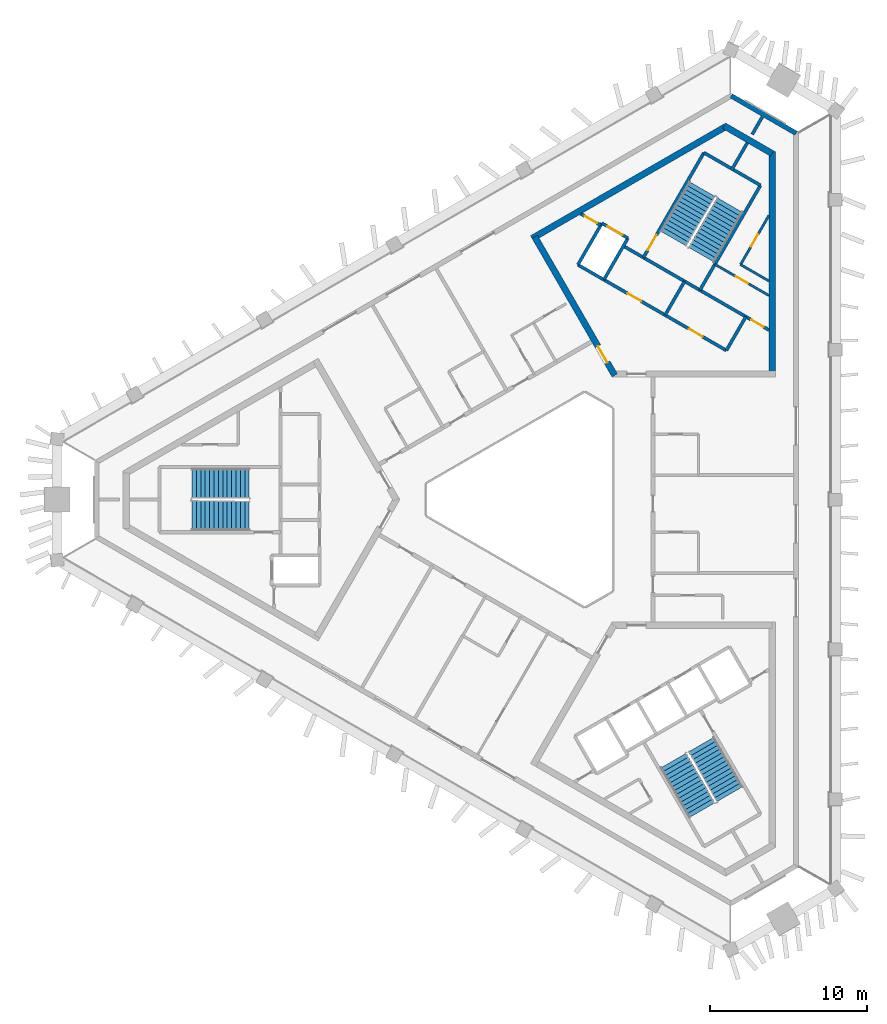
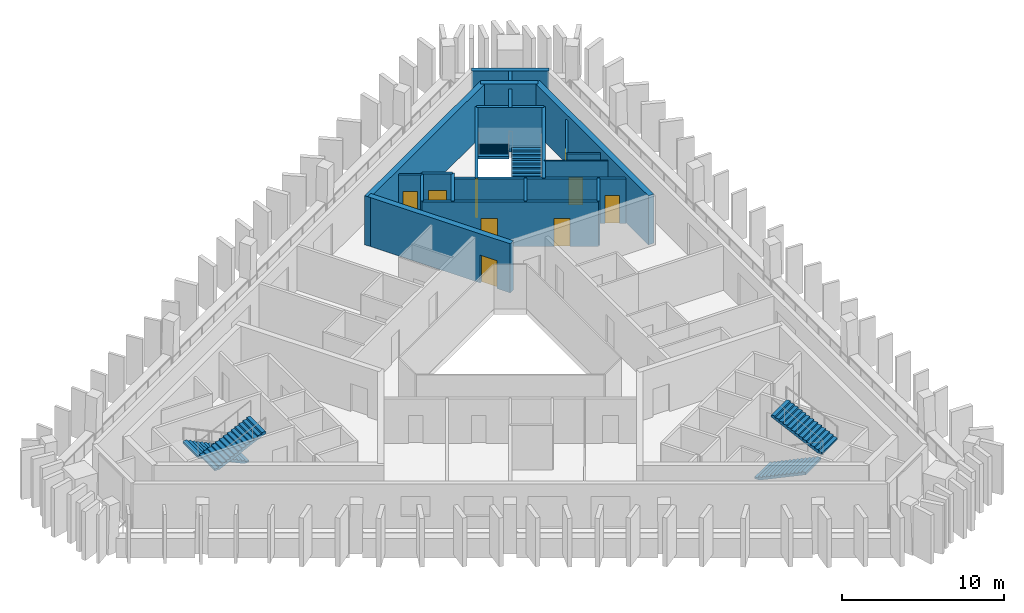
# One storey, part 5 of 8: 21 walls, 9 doors, 6 stair flights, 9 openings, 3 elements without a shape of their own.
"""IFC4 building model written with IfcOpenShell, lengths in metres."""

from ifc_helpers import new_model, si_unit, direction, frame, frame_2d, origin, place, context, subcontext, project, spatial, polyline, rectangle, outline, extrude, material, layer, layer_set, type_object, element, fill, aggregate, save


model = new_model("IFC4")

# Units and contexts
model_context = context("Model", 3, precision=1e-05, world=origin(), true_north=direction((0.0, 1.0)))
body_context = subcontext(model_context, "Body", "Model", "MODEL_VIEW")
ifc_project = project(units=[si_unit("LENGTHUNIT", "METRE"), si_unit("AREAUNIT", "SQUARE_METRE"), si_unit("VOLUMEUNIT", "CUBIC_METRE"), si_unit("PLANEANGLEUNIT", "RADIAN"), si_unit("MASSUNIT", "GRAM", prefix="KILO")], contexts=[model_context])

# Site, building, storey
site_placement = place(None, origin())
site = spatial("IfcSite", under=ifc_project, at=site_placement, CompositionType="ELEMENT")
building_placement = place(site_placement, origin())
building = spatial("IfcBuilding", under=site, at=building_placement, Name="Jabali Bay Hotel Tower and Convention Centre", CompositionType="ELEMENT")
storey_placement = place(building_placement, frame((0.0, 0.0, 292.300048828125)))
storey = spatial("IfcBuildingStorey", under=building, at=storey_placement, Name="L72", CompositionType="ELEMENT", Elevation=292.300048828125)

# Wall
ifc_material_1 = material(Name="Concrete C40", Category="concrete")
ifc_layer_1 = layer(ifc_material_1, 0.199951171875)
ifc_layer_set_1 = layer_set([ifc_layer_1], Name="Concrete C40")
wall_type_1 = type_object("IfcWallType", Name="Core partition wall 200", PredefinedType="PARTITIONING", material=ifc_layer_set_1)
wall_1_placement = place(storey_placement, frame((87.090087890625, 100.9404296875, 0.0), z_axis=(0.0, 0.0, 1.0), x_axis=(0.499941815747, 0.866058993873, 0.0)))
element("IfcWall", 1, at=wall_1_placement, inside=storey, type_object=wall_type_1, Name="Core wall 1.4 L72", PredefinedType="PARTITIONING", context=body_context, shape_type="SweptSolid", body=[
    extrude(rectangle(XDim=2.023193359375, YDim=0.199951171875, at=frame_2d((1.01171875, 0.0))), origin(), (0.0, 0.0, 1.0), 3.349853515625),
])

# Wall, opening, door
wall_2_placement = place(storey_placement, frame((78.7802734375, 97.447509765625, 0.0), z_axis=(0.0, 0.0, 1.0), x_axis=(-0.866045896294, 0.499964504253, 0.0)))
wall_2 = element("IfcWall", 2, at=wall_2_placement, inside=storey, type_object=wall_type_1, Name="Core wall 1.10 L72", PredefinedType="PARTITIONING", context=body_context, shape_type="SweptSolid", body=[
    extrude(rectangle(XDim=1.455078125, YDim=0.199951171875, at=frame_2d((0.7275390625, 0.0))), origin(), (0.0, 0.0, 1.0), 3.349853515625),
])
opening_1_placement = place(wall_2_placement, frame((0.277587890625, 0.0, 0.0)))
opening_1 = element("IfcOpeningElement", 3, at=opening_1_placement, cuts=wall_2, Name="Opening D1603", PredefinedType="OPENING", context=body_context, shape_type="SweptSolid", body=[
    extrude(rectangle(XDim=0.89990234375, YDim=2.10009765625, at=frame_2d((0.449951171875, 1.050048828125))), frame((0.0, 0.1103515625, 0.0), z_axis=(0.0, -1.0, 0.0), x_axis=(1.0, 0.0, 0.0)), (0.0, 0.0, 1.0), 0.220947265625),
])
ifc_material_2 = material(Name="Fire-rated steel door", Category="steel")
door_type_1 = type_object("IfcDoorType", Name="Vestibule fire door 900 x 2100", OperationType="NOTDEFINED", PredefinedType="NOTDEFINED", material=ifc_material_2)
door_1_placement = place(opening_1_placement, origin())
door_1 = element("IfcDoor", 4, at=door_1_placement, inside=storey, type_object=door_type_1, Name="Vestibule fire door D1603", OperationType="SINGLE_SWING_LEFT", OverallHeight=2.10009765625, OverallWidth=0.89990234375, PredefinedType="NOTDEFINED", context=body_context, shape_type="SweptSolid", body=[
    extrude(rectangle(XDim=0.89990234375, YDim=2.10009765625, at=frame_2d((0.449951171875, 1.050048828125))), frame((0.0, 0.02490234375, 0.0), z_axis=(0.0, -1.0, 0.0), x_axis=(1.0, 0.0, 0.0)), (0.0, 0.0, 1.0), 0.050048828125),
])
fill(opening_1, door_1)

ifc_material_3 = material(Name="Fire-rated board partition")
ifc_layer_2 = layer(ifc_material_3, 0.14990234375)
ifc_layer_set_2 = layer_set([ifc_layer_2], Name="Fire-rated board partition")
wall_type_2 = type_object("IfcWallType", Name="Core room partition 150", PredefinedType="PARTITIONING", material=ifc_layer_set_2)
wall_3_placement = place(storey_placement, frame((87.671142578125, 94.947021484375, 0.0), z_axis=(0.0, 0.0, 1.0), x_axis=(0.499993116331, 0.866029378036, 0.0)))
wall_3 = element("IfcWall", 5, at=wall_3_placement, inside=storey, type_object=wall_type_2, Name="Core wall 1.1 L72", PredefinedType="PARTITIONING", context=body_context, shape_type="SweptSolid", body=[
    extrude(rectangle(XDim=3.61767578125, YDim=0.14990234375, at=frame_2d((1.808837890625, 0.0))), origin(), (0.0, 0.0, 1.0), 3.349853515625),
])
opening_2_placement = place(wall_3_placement, frame((1.33154296875, 0.0, 0.0)))
opening_2 = element("IfcOpeningElement", 6, at=opening_2_placement, cuts=wall_3, Name="Opening D1606", PredefinedType="OPENING", context=body_context, shape_type="SweptSolid", body=[
    extrude(rectangle(XDim=0.89990234375, YDim=2.10009765625, at=frame_2d((0.449951171875, 1.050048828125))), frame((0.0, 0.08544921875, 0.0), z_axis=(0.0, -1.0, 0.0), x_axis=(1.0, 0.0, 0.0)), (0.0, 0.0, 1.0), 0.1708984375),
])
door_type_2 = type_object("IfcDoorType", Name="Core room door 900 x 2100", OperationType="NOTDEFINED", PredefinedType="NOTDEFINED", material=ifc_material_2)
door_2_placement = place(opening_2_placement, origin())
door_2 = element("IfcDoor", 7, at=door_2_placement, inside=storey, type_object=door_type_2, Name="Core room door D1606", OperationType="SINGLE_SWING_LEFT", OverallHeight=2.10009765625, OverallWidth=0.89990234375, PredefinedType="NOTDEFINED", context=body_context, shape_type="SweptSolid", body=[
    extrude(rectangle(XDim=0.89990234375, YDim=2.10009765625, at=frame_2d((0.449951171875, 1.050048828125))), frame((0.0, 0.02490234375, 0.0), z_axis=(0.0, -1.0, 0.0), x_axis=(1.0, 0.0, 0.0)), (0.0, 0.0, 1.0), 0.050048828125),
])
fill(opening_2, door_2)

wall_4_placement = place(storey_placement, frame((89.47998046875, 92.978759765625, 0.0), z_axis=(0.0, 0.0, 1.0), x_axis=(-0.866019912421, 0.500009511199, 0.0)))
wall_4 = element("IfcWall", 8, at=wall_4_placement, inside=storey, type_object=wall_type_2, Name="Core wall 1.12 L72", PredefinedType="PARTITIONING", context=body_context, shape_type="SweptSolid", body=[
    extrude(rectangle(XDim=3.9755859375, YDim=0.14990234375, at=frame_2d((1.98779296875, 0.0))), origin(), (0.0, 0.0, 1.0), 3.349853515625),
])
opening_3_placement = place(wall_4_placement, frame((1.537841796875, 0.0, 0.0)))
opening_3 = element("IfcOpeningElement", 9, at=opening_3_placement, cuts=wall_4, Name="Opening D1602", PredefinedType="OPENING", context=body_context, shape_type="SweptSolid", body=[
    extrude(rectangle(XDim=0.89990234375, YDim=2.10009765625, at=frame_2d((0.449951171875, 1.050048828125))), frame((0.0, 0.08544921875, 0.0), z_axis=(0.0, -1.0, 0.0), x_axis=(1.0, 0.0, 0.0)), (0.0, 0.0, 1.0), 0.1708984375),
])
door_3_placement = place(opening_3_placement, origin())
door_3 = element("IfcDoor", 10, at=door_3_placement, inside=storey, type_object=door_type_2, Name="Core room door D1602", OperationType="SINGLE_SWING_RIGHT", OverallHeight=2.10009765625, OverallWidth=0.89990234375, PredefinedType="NOTDEFINED", context=body_context, shape_type="SweptSolid", body=[
    extrude(rectangle(XDim=0.89990234375, YDim=2.10009765625, at=frame_2d((0.449951171875, 1.050048828125))), frame((0.0, 0.02490234375, 0.0), z_axis=(0.0, -1.0, 0.0), x_axis=(1.0, 0.0, 0.0)), (0.0, 0.0, 1.0), 0.050048828125),
])
fill(opening_3, door_3)

# Walls
wall_5_placement = place(storey_placement, frame((89.47998046875, 93.902587890625, 0.0), z_axis=(0.0, 0.0, 1.0), x_axis=(-0.866004557827, 0.500036104519, 0.0)))
element("IfcWall", 11, at=wall_5_placement, inside=storey, type_object=wall_type_2, Name="Core wall 1.13 L72", PredefinedType="PARTITIONING", context=body_context, shape_type="SweptSolid", body=[
    extrude(rectangle(XDim=2.088623046875, YDim=0.14990234375, at=frame_2d((1.04443359375, 0.0))), origin(), (0.0, 0.0, 1.0), 3.349853515625),
])
ifc_layer_3 = layer(ifc_material_1, 0.199951171875)
ifc_layer_set_3 = layer_set([ifc_layer_3], Name="Concrete C40")
wall_type_3 = type_object("IfcWallType", Name="Core stair wall 200", PredefinedType="SOLIDWALL", material=ifc_layer_set_3)
wall_6_placement = place(storey_placement, frame((86.769775390625, 89.48583984375, 0.0), z_axis=(0.0, 0.0, 1.0), x_axis=(0.499961042966, 0.86604789447, 0.0)))
element("IfcWall", 12, at=wall_6_placement, inside=storey, type_object=wall_type_3, Name="Core wall 1.0 L72", PredefinedType="SOLIDWALL", context=body_context, shape_type="SweptSolid", body=[
    extrude(rectangle(XDim=2.480224609375, YDim=0.199951171875, at=frame_2d((1.240234375, 0.0))), origin(), (0.0, 0.0, 1.0), 3.349853515625),
])
wall_7_placement = place(storey_placement, frame((85.0869140625, 93.3212890625, 0.0), z_axis=(0.0, 0.0, 1.0), x_axis=(0.500019787375, 0.866013979237, 0.0)))
element("IfcWall", 13, at=wall_7_placement, inside=storey, type_object=wall_type_3, Name="Core wall 1.2 L72", PredefinedType="SOLIDWALL", context=body_context, shape_type="SweptSolid", body=[
    extrude(rectangle(XDim=7.699951171875, YDim=0.199951171875, at=frame_2d((3.85009765625, 0.0))), origin(), (0.0, 0.0, 1.0), 3.349853515625),
])
wall_8_placement = place(storey_placement, frame((82.872802734375, 91.73583984375, 0.0), z_axis=(0.0, 0.0, 1.0), x_axis=(0.499961042966, 0.86604789447, 0.0)))
element("IfcWall", 14, at=wall_8_placement, inside=storey, type_object=wall_type_3, Name="Core wall 1.3 L72", PredefinedType="SOLIDWALL", context=body_context, shape_type="SweptSolid", body=[
    extrude(rectangle(XDim=2.480224609375, YDim=0.199951171875, at=frame_2d((1.240234375, 0.0))), origin(), (0.0, 0.0, 1.0), 3.349853515625),
])

# Wall, opening, door
wall_9_placement = place(storey_placement, frame((81.492919921875, 95.396240234375, 0.0), z_axis=(0.0, 0.0, 1.0), x_axis=(0.500006057782, 0.866021906294, 0.0)))
wall_9 = element("IfcWall", 15, at=wall_9_placement, inside=storey, type_object=wall_type_3, Name="Core wall 1.5 L72", PredefinedType="SOLIDWALL", context=body_context, shape_type="SweptSolid", body=[
    extrude(rectangle(XDim=7.7001953125, YDim=0.199951171875, at=frame_2d((3.85009765625, 0.0))), origin(), (0.0, 0.0, 1.0), 3.349853515625),
])
opening_4_placement = place(wall_9_placement, frame((0.550048828125, 0.0, 0.0)))
opening_4 = element("IfcOpeningElement", 16, at=opening_4_placement, cuts=wall_9, Name="Opening D1605", PredefinedType="OPENING", context=body_context, shape_type="SweptSolid", body=[
    extrude(rectangle(XDim=1.10009765625, YDim=2.10009765625, at=frame_2d((0.550048828125, 1.050048828125))), frame((0.0, 0.1103515625, 0.0), z_axis=(0.0, -1.0, 0.0), x_axis=(1.0, 0.0, 0.0)), (0.0, 0.0, 1.0), 0.220947265625),
])
door_type_3 = type_object("IfcDoorType", Name="Stair fire door 1100 x 2100", OperationType="NOTDEFINED", PredefinedType="NOTDEFINED", material=ifc_material_2)
door_4_placement = place(opening_4_placement, origin())
door_4 = element("IfcDoor", 17, at=door_4_placement, inside=storey, type_object=door_type_3, Name="Stair fire door D1605", OperationType="SINGLE_SWING_RIGHT", OverallHeight=2.10009765625, OverallWidth=1.10009765625, PredefinedType="NOTDEFINED", context=body_context, shape_type="SweptSolid", body=[
    extrude(rectangle(XDim=1.10009765625, YDim=2.10009765625, at=frame_2d((0.550048828125, 1.050048828125))), frame((0.0, 0.02490234375, 0.0), z_axis=(0.0, -1.0, 0.0), x_axis=(1.0, 0.0, 0.0)), (0.0, 0.0, 1.0), 0.050048828125),
])
fill(opening_4, door_4)

# Walls
for number, where, z_axis, x_axis, name in (
    (18, (78.9755859375, 93.98583984375, 0.0), (0.0, 0.0, 1.0), (0.499944174705, 0.866057632134, 0.0), "Core wall 1.6 L72"),
    (19, (77.330078125, 94.93603515625, 0.0), (0.0, 0.0, 1.0), (0.500038867431, 0.8660029625, 0.0), "Core wall 1.7 L72"),
):
    element("IfcWall", number, at=place(storey_placement, frame(where, z_axis=z_axis, x_axis=x_axis)), inside=storey, type_object=wall_type_3, Name=name, PredefinedType="SOLIDWALL", context=body_context, shape_type="SweptSolid", body=[
        extrude(rectangle(XDim=3.050048828125, YDim=0.199951171875, at=frame_2d((1.52490234375, 0.0))), origin(), (0.0, 0.0, 1.0), 3.349853515625),
    ])

# Wall, openings, doors
wall_10_placement = place(storey_placement, frame((86.769775390625, 89.48583984375, 0.0), z_axis=(0.0, 0.0, 1.0), x_axis=(-0.86601811187, 0.500012629753, 0.0)))
wall_10 = element("IfcWall", 20, at=wall_10_placement, inside=storey, type_object=wall_type_3, Name="Core wall 1.8 L72", PredefinedType="SOLIDWALL", context=body_context, shape_type="SweptSolid", body=[
    extrude(rectangle(XDim=10.900146484375, YDim=0.199951171875, at=frame_2d((5.4501953125, 0.0))), origin(), (0.0, 0.0, 1.0), 3.349853515625),
])
opening_5_placement = place(wall_10_placement, frame((1.75, 0.0, 0.0)))
opening_5 = element("IfcOpeningElement", 21, at=opening_5_placement, cuts=wall_10, Name="Opening D1600", PredefinedType="OPENING", context=body_context, shape_type="SweptSolid", body=[
    extrude(rectangle(XDim=1.0, YDim=2.10009765625, at=frame_2d((0.5, 1.050048828125))), frame((0.0, 0.1103515625, 0.0), z_axis=(0.0, -1.0, 0.0), x_axis=(1.0, 0.0, 0.0)), (0.0, 0.0, 1.0), 0.220947265625),
])
opening_6_placement = place(wall_10_placement, frame((6.25, 0.0, 0.0)))
opening_6 = element("IfcOpeningElement", 22, at=opening_6_placement, cuts=wall_10, Name="Opening D1601", PredefinedType="OPENING", context=body_context, shape_type="SweptSolid", body=[
    extrude(rectangle(XDim=1.0, YDim=2.10009765625, at=frame_2d((0.5, 1.050048828125))), frame((0.0, 0.1103515625, 0.0), z_axis=(0.0, -1.0, 0.0), x_axis=(1.0, 0.0, 0.0)), (0.0, 0.0, 1.0), 0.220947265625),
])
door_type_4 = type_object("IfcDoorType", Name="Core room door 1000 x 2100", OperationType="NOTDEFINED", PredefinedType="NOTDEFINED", material=ifc_material_2)
door_5_placement = place(opening_5_placement, origin())
door_5 = element("IfcDoor", 23, at=door_5_placement, inside=storey, type_object=door_type_4, Name="Core room door D1600", OperationType="SINGLE_SWING_RIGHT", OverallHeight=2.10009765625, OverallWidth=1.0, PredefinedType="NOTDEFINED", context=body_context, shape_type="SweptSolid", body=[
    extrude(rectangle(XDim=1.0, YDim=2.10009765625, at=frame_2d((0.5, 1.050048828125))), frame((0.0, 0.02490234375, 0.0), z_axis=(0.0, -1.0, 0.0), x_axis=(1.0, 0.0, 0.0)), (0.0, 0.0, 1.0), 0.050048828125),
])
fill(opening_5, door_5)
door_6_placement = place(opening_6_placement, origin())
door_6 = element("IfcDoor", 24, at=door_6_placement, inside=storey, type_object=door_type_4, Name="Core room door D1601", OperationType="SINGLE_SWING_RIGHT", OverallHeight=2.10009765625, OverallWidth=1.0, PredefinedType="NOTDEFINED", context=body_context, shape_type="SweptSolid", body=[
    extrude(rectangle(XDim=1.0, YDim=2.10009765625, at=frame_2d((0.5, 1.050048828125))), frame((0.0, 0.02490234375, 0.0), z_axis=(0.0, -1.0, 0.0), x_axis=(1.0, 0.0, 0.0)), (0.0, 0.0, 1.0), 0.050048828125),
])
fill(opening_6, door_6)

# Wall, opening, door
wall_11_placement = place(storey_placement, frame((89.47998046875, 90.784912109375, 0.0), z_axis=(0.0, 0.0, 1.0), x_axis=(-0.866022544512, 0.500004952373, 0.0)))
wall_11 = element("IfcWall", 25, at=wall_11_placement, inside=storey, type_object=wall_type_3, Name="Core wall 1.9 L72", PredefinedType="SOLIDWALL", context=body_context, shape_type="SweptSolid", body=[
    extrude(rectangle(XDim=10.69775390625, YDim=0.199951171875, at=frame_2d((5.348876953125, 0.0))), origin(), (0.0, 0.0, 1.0), 3.349853515625),
])
opening_7_placement = place(wall_11_placement, frame((0.398681640625, 0.0, 0.0)))
opening_7 = element("IfcOpeningElement", 26, at=opening_7_placement, cuts=wall_11, Name="Opening D1604", PredefinedType="OPENING", context=body_context, shape_type="SweptSolid", body=[
    extrude(rectangle(XDim=0.89990234375, YDim=2.10009765625, at=frame_2d((0.449951171875, 1.050048828125))), frame((0.0, 0.1103515625, 0.0), z_axis=(0.0, -1.0, 0.0), x_axis=(1.0, 0.0, 0.0)), (0.0, 0.0, 1.0), 0.220947265625),
])
door_7_placement = place(opening_7_placement, origin())
door_7 = element("IfcDoor", 27, at=door_7_placement, inside=storey, type_object=door_type_1, Name="Vestibule fire door D1604", OperationType="SINGLE_SWING_LEFT", OverallHeight=2.10009765625, OverallWidth=0.89990234375, PredefinedType="NOTDEFINED", context=body_context, shape_type="SweptSolid", body=[
    extrude(rectangle(XDim=0.89990234375, YDim=2.10009765625, at=frame_2d((0.449951171875, 1.050048828125))), frame((0.0, 0.02490234375, 0.0), z_axis=(0.0, -1.0, 0.0), x_axis=(1.0, 0.0, 0.0)), (0.0, 0.0, 1.0), 0.050048828125),
])
fill(opening_7, door_7)

wall_12_placement = place(storey_placement, frame((80.50048828125, 96.62744140625, 0.0), z_axis=(0.0, 0.0, 1.0), x_axis=(-0.86601224135, 0.500022797313, 0.0)))
wall_12 = element("IfcWall", 28, at=wall_12_placement, inside=storey, type_object=wall_type_3, Name="Core wall 1.11 L72", PredefinedType="SOLIDWALL", context=body_context, shape_type="SweptSolid", body=[
    extrude(rectangle(XDim=1.89990234375, YDim=0.199951171875, at=frame_2d((0.949951171875, 0.0))), origin(), (0.0, 0.0, 1.0), 3.349853515625),
])
opening_8_placement = place(wall_12_placement, frame((0.39990234375, 0.0, 0.0)))
opening_8 = element("IfcOpeningElement", 29, at=opening_8_placement, cuts=wall_12, Name="Opening LD10-L72", PredefinedType="OPENING", context=body_context, shape_type="SweptSolid", body=[
    extrude(rectangle(XDim=1.10009765625, YDim=2.10009765625, at=frame_2d((0.550048828125, 1.050048828125))), frame((0.0, 0.1103515625, 0.0), z_axis=(0.0, -1.0, 0.0), x_axis=(1.0, 0.0, 0.0)), (0.0, 0.0, 1.0), 0.220947265625),
])
ifc_material_4 = material(Name="Stainless steel landing door", Category="steel")
door_type_5 = type_object("IfcDoorType", Name="Landing door 1100 x 2100", OperationType="NOTDEFINED", PredefinedType="NOTDEFINED", material=ifc_material_4)
door_8_placement = place(opening_8_placement, origin())
door_8 = element("IfcDoor", 30, at=door_8_placement, inside=storey, type_object=door_type_5, Name="Landing doors LD10-L72", OperationType="SLIDING_TO_RIGHT", OverallHeight=2.10009765625, OverallWidth=1.10009765625, PredefinedType="NOTDEFINED", context=body_context, shape_type="SweptSolid", body=[
    extrude(rectangle(XDim=1.10009765625, YDim=2.10009765625, at=frame_2d((0.550048828125, 1.050048828125))), frame((0.0, 0.02490234375, 0.0), z_axis=(0.0, -1.0, 0.0), x_axis=(1.0, 0.0, 0.0)), (0.0, 0.0, 1.0), 0.050048828125),
])
fill(opening_8, door_8)

# Walls
wall_13_placement = place(storey_placement, frame((88.93701171875, 99.989501953125, 0.0), z_axis=(0.0, 0.0, 1.0), x_axis=(-0.866004344652, 0.500036473714, 0.0)))
element("IfcWall", 31, at=wall_13_placement, inside=storey, type_object=wall_type_3, Name="Core wall 1.14 L72", PredefinedType="SOLIDWALL", context=body_context, shape_type="SweptSolid", body=[
    extrude(rectangle(XDim=4.150146484375, YDim=0.199951171875, at=frame_2d((2.0751953125, 0.0))), origin(), (0.0, 0.0, 1.0), 3.349853515625),
])
ifc_material_5 = material(Name="Concrete C60", Category="concrete")
ifc_layer_4 = layer(ifc_material_5, 0.39990234375)
ifc_layer_set_4 = layer_set([ifc_layer_4], Name="Concrete C60")
wall_type_4 = type_object("IfcWallType", Name="Core wall 400", PredefinedType="SHEAR", material=ifc_layer_set_4)
wall_14_placement = place(storey_placement, frame((89.679931640625, 87.994140625, 0.0), z_axis=(0.0, 0.0, 1.0), x_axis=(0.0, 1.0, 0.0)))
element("IfcWall", 32, at=wall_14_placement, inside=storey, type_object=wall_type_4, Name="Core wall 2.2 L72", PredefinedType="SHEAR", context=body_context, shape_type="SweptSolid", body=[
    extrude(rectangle(XDim=14.133544921875, YDim=0.39990234375, at=frame_2d((7.06689453125, 0.0))), origin(), (0.0, 0.0, 1.0), 3.699951171875),
])
wall_15_placement = place(storey_placement, frame((89.679931640625, 102.01220703125, 0.0), z_axis=(0.0, 0.0, 1.0), x_axis=(-0.866025485263, 0.499999858875, 0.0)))
element("IfcWall", 33, at=wall_15_placement, inside=storey, type_object=wall_type_4, Name="Core wall 2.3 L72", PredefinedType="SHEAR", context=body_context, shape_type="SweptSolid", body=[
    extrude(rectangle(XDim=3.52978515625, YDim=0.39990234375, at=frame_2d((1.764892578125, 0.0))), origin(), (0.0, 0.0, 1.0), 3.699951171875),
])
wall_16_placement = place(storey_placement, frame((86.72314453125, 103.71923828125, 0.0), z_axis=(0.0, 0.0, 1.0), x_axis=(-0.866030317223, -0.499991489579, 0.0)))
element("IfcWall", 34, at=wall_16_placement, inside=storey, type_object=wall_type_4, Name="Core wall 2.4 L72", PredefinedType="SHEAR", context=body_context, shape_type="SweptSolid", body=[
    extrude(rectangle(XDim=14.218017578125, YDim=0.39990234375, at=frame_2d((7.10888671875, 0.0))), origin(), (0.0, 0.0, 1.0), 3.699951171875),
])

# Wall, opening, door
wall_17_placement = place(storey_placement, frame((74.583251953125, 96.71044921875, 0.0), z_axis=(0.0, 0.0, 1.0), x_axis=(0.499987488796, -0.866032627011, 0.0)))
wall_17 = element("IfcWall", 35, at=wall_17_placement, inside=storey, type_object=wall_type_4, Name="Core wall 2.5 L72", PredefinedType="SHEAR", context=body_context, shape_type="SweptSolid", body=[
    extrude(rectangle(XDim=10.179931640625, YDim=0.39990234375, at=frame_2d((5.08984375, 0.0))), origin(), (0.0, 0.0, 1.0), 3.699951171875),
])
opening_9_placement = place(wall_17_placement, frame((8.030029296875, 0.0, 0.0)))
opening_9 = element("IfcOpeningElement", 36, at=opening_9_placement, cuts=wall_17, Name="Opening D1599", PredefinedType="OPENING", context=body_context, shape_type="SweptSolid", body=[
    extrude(rectangle(XDim=1.199951171875, YDim=2.10009765625, at=frame_2d((0.60009765625, 1.050048828125))), frame((0.0, 0.21044921875, 0.0), z_axis=(0.0, -1.0, 0.0), x_axis=(1.0, 0.0, 0.0)), (0.0, 0.0, 1.0), 0.4208984375),
])
door_type_6 = type_object("IfcDoorType", Name="Corridor end fire door 1200 x 2100", OperationType="NOTDEFINED", PredefinedType="NOTDEFINED", material=ifc_material_2)
door_9_placement = place(opening_9_placement, origin())
door_9 = element("IfcDoor", 37, at=door_9_placement, inside=storey, type_object=door_type_6, Name="Corridor end fire door D1599", OperationType="SINGLE_SWING_LEFT", OverallHeight=2.10009765625, OverallWidth=1.199951171875, PredefinedType="NOTDEFINED", context=body_context, shape_type="SweptSolid", body=[
    extrude(rectangle(XDim=1.199951171875, YDim=2.10009765625, at=frame_2d((0.60009765625, 1.050048828125))), frame((0.0, 0.02490234375, 0.0), z_axis=(0.0, -1.0, 0.0), x_axis=(1.0, 0.0, 0.0)), (0.0, 0.0, 1.0), 0.050048828125),
])
fill(opening_9, door_9)

# Walls
ifc_layer_5 = layer(ifc_material_1, 0.300048828125)
ifc_layer_set_5 = layer_set([ifc_layer_5], Name="Concrete C40")
wall_type_5 = type_object("IfcWallType", Name="External wall 300", PredefinedType="SOLIDWALL", material=ifc_layer_set_5)
wall_18_placement = place(storey_placement, frame((87.076416015625, 105.68359375, 0.0), z_axis=(0.0, 0.0, 1.0), x_axis=(0.866021818598, -0.500006209673, 0.0)))
element("IfcWall", 38, at=wall_18_placement, inside=storey, type_object=wall_type_5, Name="External wall north-east chamfer L72", PredefinedType="SOLIDWALL", context=body_context, shape_type="SweptSolid", body=[
    extrude(rectangle(XDim=4.7666015625, YDim=0.300048828125, at=frame_2d((2.38330078125, 0.0))), origin(), (0.0, 0.0, 1.0), 3.349853515625),
])
ifc_material_6 = material(Name="Plasterboard on steel stud", Category="steel")
ifc_layer_6 = layer(ifc_material_6, 0.199951171875)
ifc_layer_set_6 = layer_set([ifc_layer_6], Name="Plasterboard on steel stud")
wall_type_6 = type_object("IfcWallType", Name="Partition 200 party", PredefinedType="PARTITIONING", material=ifc_layer_set_6)
wall_19_placement = place(storey_placement, frame((89.056396484375, 104.34423828125, 0.0), z_axis=(0.0, 0.0, 1.0), x_axis=(-0.500094400323, -0.865970894872, 0.0)))
element("IfcWall", 39, at=wall_19_placement, inside=storey, type_object=wall_type_6, Name="Partition P01 L72 012", PredefinedType="PARTITIONING", context=body_context, shape_type="SweptSolid", body=[
    extrude(rectangle(XDim=1.287841796875, YDim=0.199951171875, at=frame_2d((0.64404296875, 0.0))), origin(), (0.0, 0.0, 1.0), 3.349853515625),
])

# Stair, stair flights
stair_type = type_object("IfcStairType", Name="Exit stair 1900", PredefinedType="HALF_TURN_STAIR", material=ifc_material_1)
stair_1_placement = place(storey_placement, origin())
stair_1 = element("IfcStair", 40, at=stair_1_placement, inside=storey, type_object=stair_type, Name="L72 Exit Stair 1", PredefinedType="HALF_TURN_STAIR")
stair_flight_type = type_object("IfcStairFlightType", Name="Stair flight concrete 150", PredefinedType="STRAIGHT", material=ifc_material_1)
stair_flight_1_placement = place(storey_placement, frame((56.419921875, 81.02490234375, 0.0), z_axis=(0.0, 0.0, 1.0), x_axis=(-1.0, 0.0, 0.0)))
stair_flight_1 = element("IfcStairFlight", 41, at=stair_flight_1_placement, type_object=stair_flight_type, Name="ST1 flight 1", NumberOfRisers=14, NumberOfTreads=13, PredefinedType="STRAIGHT", RiserHeight=0.132142857, TreadLength=0.28, context=body_context, shape_type="SweptSolid", body=[
    extrude(outline(polyline([(0.0, 0.0), (0.0, 0.132080078125), (0.280029296875, 0.132080078125), (0.280029296875, 0.264404296875), (0.56005859375, 0.264404296875), (0.56005859375, 0.396484375), (0.840087890625, 0.396484375), (0.840087890625, 0.528564453125), (1.1201171875, 0.528564453125), (1.1201171875, 0.66064453125), (1.39990234375, 0.66064453125), (1.39990234375, 0.79296875), (1.679931640625, 0.79296875), (1.679931640625, 0.925048828125), (1.9599609375, 0.925048828125), (1.9599609375, 1.05712890625), (2.239990234375, 1.05712890625), (2.239990234375, 1.189208984375), (2.52001953125, 1.189208984375), (2.52001953125, 1.321533203125), (2.800048828125, 1.321533203125), (2.800048828125, 1.45361328125), (3.080078125, 1.45361328125), (3.080078125, 1.585693359375), (3.360107421875, 1.585693359375), (3.360107421875, 1.7177734375), (3.639892578125, 1.7177734375), (3.639892578125, 1.85009765625), (3.639892578125, 1.552001953125), (0.351318359375, 0.0), (0.0, 0.0)])), frame((0.0, 0.949951171875, 0.0), z_axis=(0.0, -1.0, 0.0), x_axis=(1.0, 0.0, 0.0)), (0.0, 0.0, 1.0), 1.89990234375),
])
stair_flight_2_placement = place(storey_placement, frame((52.780029296875, 78.97509765625, 1.849853515625), z_axis=(0.0, 0.0, 1.0), x_axis=(1.0, 0.0, 0.0)))
stair_flight_2 = element("IfcStairFlight", 42, at=stair_flight_2_placement, type_object=stair_flight_type, Name="ST1 flight 2", NumberOfRisers=14, NumberOfTreads=13, PredefinedType="STRAIGHT", RiserHeight=0.132142857, TreadLength=0.28, context=body_context, shape_type="SweptSolid", body=[
    extrude(outline(polyline([(0.0, 0.0), (0.0, 0.132080078125), (0.280029296875, 0.132080078125), (0.280029296875, 0.264404296875), (0.56005859375, 0.264404296875), (0.56005859375, 0.396484375), (0.840087890625, 0.396484375), (0.840087890625, 0.528564453125), (1.1201171875, 0.528564453125), (1.1201171875, 0.66064453125), (1.39990234375, 0.66064453125), (1.39990234375, 0.79296875), (1.679931640625, 0.79296875), (1.679931640625, 0.925048828125), (1.9599609375, 0.925048828125), (1.9599609375, 1.05712890625), (2.239990234375, 1.05712890625), (2.239990234375, 1.189208984375), (2.52001953125, 1.189208984375), (2.52001953125, 1.321533203125), (2.800048828125, 1.321533203125), (2.800048828125, 1.45361328125), (3.080078125, 1.45361328125), (3.080078125, 1.585693359375), (3.360107421875, 1.585693359375), (3.360107421875, 1.7177734375), (3.639892578125, 1.7177734375), (3.639892578125, 1.85009765625), (3.639892578125, 1.552001953125), (0.351318359375, 0.0), (0.0, 0.0)])), frame((0.0, 0.949951171875, 0.0), z_axis=(0.0, -1.0, 0.0), x_axis=(1.0, 0.0, 0.0)), (0.0, 0.0, 1.0), 1.89990234375),
])
aggregate(stair_1, [stair_flight_1, stair_flight_2])

stair_2_placement = place(storey_placement, origin())
stair_2 = element("IfcStair", 43, at=stair_2_placement, inside=storey, type_object=stair_type, Name="L72 Exit Stair 2", PredefinedType="HALF_TURN_STAIR")
stair_flight_3_placement = place(storey_placement, frame((85.177734375, 95.578369140625, 0.0), z_axis=(0.0, 0.0, 1.0), x_axis=(0.5, 0.866025403784, 0.0)))
stair_flight_3 = element("IfcStairFlight", 44, at=stair_flight_3_placement, type_object=stair_flight_type, Name="ST2 flight 1", NumberOfRisers=14, NumberOfTreads=13, PredefinedType="STRAIGHT", RiserHeight=0.132142857, TreadLength=0.28, context=body_context, shape_type="SweptSolid", body=[
    extrude(outline(polyline([(0.0, 0.0), (0.0, 0.132080078125), (0.280029296875, 0.132080078125), (0.280029296875, 0.264404296875), (0.56005859375, 0.264404296875), (0.56005859375, 0.396484375), (0.840087890625, 0.396484375), (0.840087890625, 0.528564453125), (1.1201171875, 0.528564453125), (1.1201171875, 0.66064453125), (1.39990234375, 0.66064453125), (1.39990234375, 0.79296875), (1.679931640625, 0.79296875), (1.679931640625, 0.925048828125), (1.9599609375, 0.925048828125), (1.9599609375, 1.05712890625), (2.239990234375, 1.05712890625), (2.239990234375, 1.189208984375), (2.52001953125, 1.189208984375), (2.52001953125, 1.321533203125), (2.800048828125, 1.321533203125), (2.800048828125, 1.45361328125), (3.080078125, 1.45361328125), (3.080078125, 1.585693359375), (3.360107421875, 1.585693359375), (3.360107421875, 1.7177734375), (3.639892578125, 1.7177734375), (3.639892578125, 1.85009765625), (3.639892578125, 1.552001953125), (0.351318359375, 0.0), (0.0, 0.0)])), frame((0.0, 0.949951171875, 0.0), z_axis=(0.0, -1.0, 0.0), x_axis=(1.0, 0.0, 0.0)), (0.0, 0.0, 1.0), 1.89990234375),
])
stair_flight_4_placement = place(storey_placement, frame((85.222412109375, 99.755615234375, 1.849853515625), z_axis=(0.0, 0.0, 1.0), x_axis=(-0.5, -0.866025403784, 0.0)))
stair_flight_4 = element("IfcStairFlight", 45, at=stair_flight_4_placement, type_object=stair_flight_type, Name="ST2 flight 2", NumberOfRisers=14, NumberOfTreads=13, PredefinedType="STRAIGHT", RiserHeight=0.132142857, TreadLength=0.28, context=body_context, shape_type="SweptSolid", body=[
    extrude(outline(polyline([(0.0, 0.0), (0.0, 0.132080078125), (0.280029296875, 0.132080078125), (0.280029296875, 0.264404296875), (0.56005859375, 0.264404296875), (0.56005859375, 0.396484375), (0.840087890625, 0.396484375), (0.840087890625, 0.528564453125), (1.1201171875, 0.528564453125), (1.1201171875, 0.66064453125), (1.39990234375, 0.66064453125), (1.39990234375, 0.79296875), (1.679931640625, 0.79296875), (1.679931640625, 0.925048828125), (1.9599609375, 0.925048828125), (1.9599609375, 1.05712890625), (2.239990234375, 1.05712890625), (2.239990234375, 1.189208984375), (2.52001953125, 1.189208984375), (2.52001953125, 1.321533203125), (2.800048828125, 1.321533203125), (2.800048828125, 1.45361328125), (3.080078125, 1.45361328125), (3.080078125, 1.585693359375), (3.360107421875, 1.585693359375), (3.360107421875, 1.7177734375), (3.639892578125, 1.7177734375), (3.639892578125, 1.85009765625), (3.639892578125, 1.552001953125), (0.351318359375, 0.0), (0.0, 0.0)])), frame((0.0, 0.949951171875, 0.0), z_axis=(0.0, -1.0, 0.0), x_axis=(1.0, 0.0, 0.0)), (0.0, 0.0, 1.0), 1.89990234375),
])
aggregate(stair_2, [stair_flight_3, stair_flight_4])

stair_3_placement = place(storey_placement, origin())
stair_3 = element("IfcStair", 46, at=stair_3_placement, inside=storey, type_object=stair_type, Name="L72 Exit Stair 3", PredefinedType="HALF_TURN_STAIR")
stair_flight_5_placement = place(storey_placement, frame((83.40234375, 63.396728515625, 0.0), z_axis=(0.0, 0.0, 1.0), x_axis=(0.5, -0.866025403784, 0.0)))
stair_flight_5 = element("IfcStairFlight", 47, at=stair_flight_5_placement, type_object=stair_flight_type, Name="ST3 flight 1", NumberOfRisers=14, NumberOfTreads=13, PredefinedType="STRAIGHT", RiserHeight=0.132142857, TreadLength=0.28, context=body_context, shape_type="SweptSolid", body=[
    extrude(outline(polyline([(0.0, 0.0), (0.0, 0.132080078125), (0.280029296875, 0.132080078125), (0.280029296875, 0.264404296875), (0.56005859375, 0.264404296875), (0.56005859375, 0.396484375), (0.840087890625, 0.396484375), (0.840087890625, 0.528564453125), (1.1201171875, 0.528564453125), (1.1201171875, 0.66064453125), (1.39990234375, 0.66064453125), (1.39990234375, 0.79296875), (1.679931640625, 0.79296875), (1.679931640625, 0.925048828125), (1.9599609375, 0.925048828125), (1.9599609375, 1.05712890625), (2.239990234375, 1.05712890625), (2.239990234375, 1.189208984375), (2.52001953125, 1.189208984375), (2.52001953125, 1.321533203125), (2.800048828125, 1.321533203125), (2.800048828125, 1.45361328125), (3.080078125, 1.45361328125), (3.080078125, 1.585693359375), (3.360107421875, 1.585693359375), (3.360107421875, 1.7177734375), (3.639892578125, 1.7177734375), (3.639892578125, 1.85009765625), (3.639892578125, 1.552001953125), (0.351318359375, 0.0), (0.0, 0.0)])), frame((0.0, 0.949951171875, 0.0), z_axis=(0.0, -1.0, 0.0), x_axis=(1.0, 0.0, 0.0)), (0.0, 0.0, 1.0), 1.89990234375),
])
stair_flight_6_placement = place(storey_placement, frame((86.99755859375, 61.26953125, 1.849853515625), z_axis=(0.0, 0.0, 1.0), x_axis=(-0.5, 0.866025403784, 0.0)))
stair_flight_6 = element("IfcStairFlight", 48, at=stair_flight_6_placement, type_object=stair_flight_type, Name="ST3 flight 2", NumberOfRisers=14, NumberOfTreads=13, PredefinedType="STRAIGHT", RiserHeight=0.132142857, TreadLength=0.28, context=body_context, shape_type="SweptSolid", body=[
    extrude(outline(polyline([(0.0, 0.0), (0.0, 0.132080078125), (0.280029296875, 0.132080078125), (0.280029296875, 0.264404296875), (0.56005859375, 0.264404296875), (0.56005859375, 0.396484375), (0.840087890625, 0.396484375), (0.840087890625, 0.528564453125), (1.1201171875, 0.528564453125), (1.1201171875, 0.66064453125), (1.39990234375, 0.66064453125), (1.39990234375, 0.79296875), (1.679931640625, 0.79296875), (1.679931640625, 0.925048828125), (1.9599609375, 0.925048828125), (1.9599609375, 1.05712890625), (2.239990234375, 1.05712890625), (2.239990234375, 1.189208984375), (2.52001953125, 1.189208984375), (2.52001953125, 1.321533203125), (2.800048828125, 1.321533203125), (2.800048828125, 1.45361328125), (3.080078125, 1.45361328125), (3.080078125, 1.585693359375), (3.360107421875, 1.585693359375), (3.360107421875, 1.7177734375), (3.639892578125, 1.7177734375), (3.639892578125, 1.85009765625), (3.639892578125, 1.552001953125), (0.351318359375, 0.0), (0.0, 0.0)])), frame((0.0, 0.949951171875, 0.0), z_axis=(0.0, -1.0, 0.0), x_axis=(1.0, 0.0, 0.0)), (0.0, 0.0, 1.0), 1.89990234375),
])
aggregate(stair_3, [stair_flight_5, stair_flight_6])

save(model, "model.ifc")
